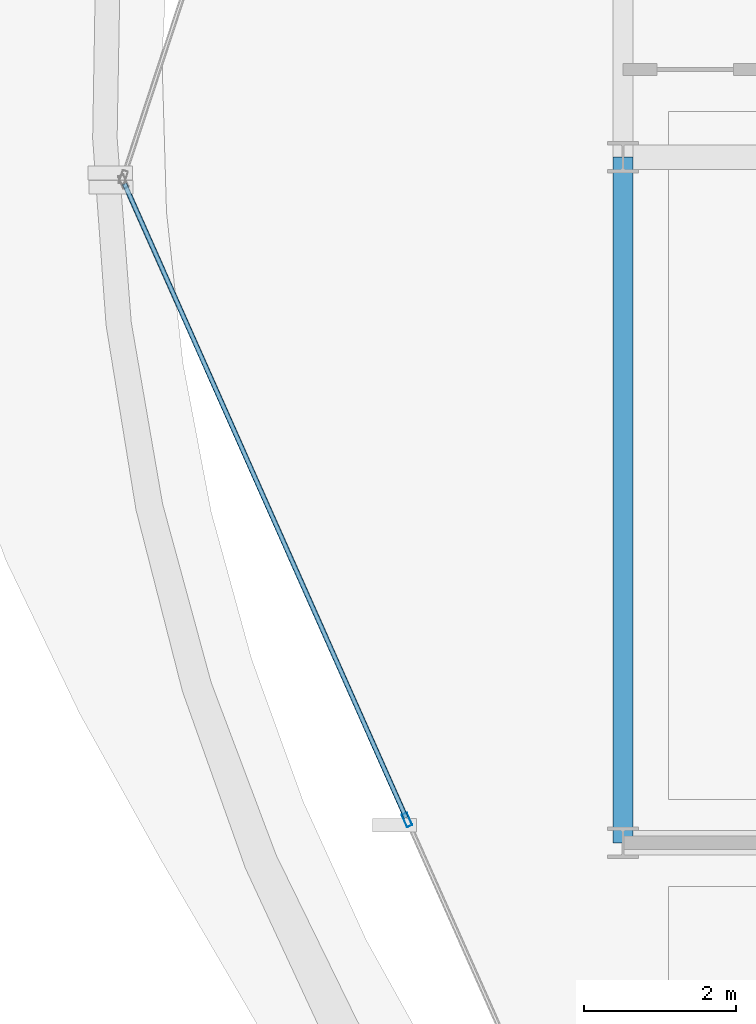
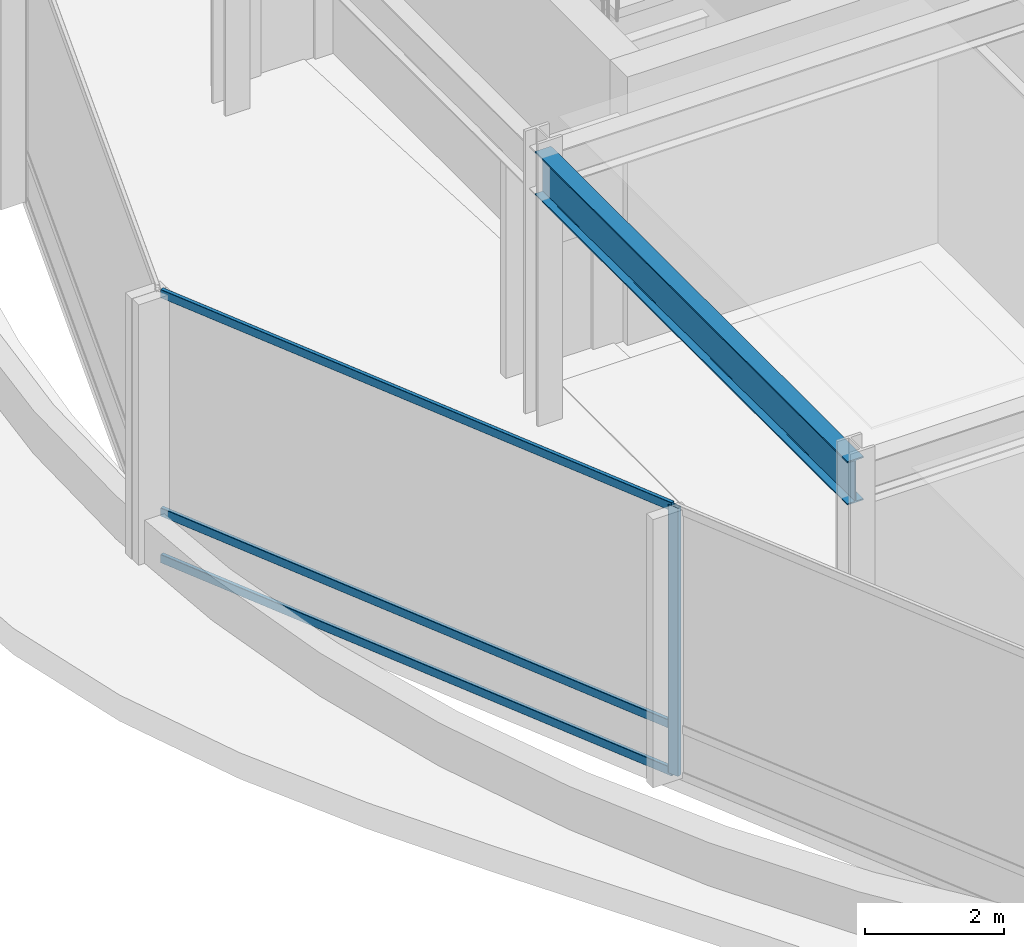
# One storey, part 5 of 29: 4 members, 1 beam, 1 element without a shape of its own.
"""IFC4 building model written with IfcOpenShell, lengths in metres."""

from ifc_helpers import new_model, si_unit, direction, frame, origin, origin_2d, place, context, subcontext, project, spatial, hollow_rectangle, i_section, extrude, material, layer, layer_set, material_profile, profile_set, type_object, element, aggregate, save


model = new_model("IFC4")

# Units and contexts
model_context = context("Model", 3, precision=1e-05, world=origin(), true_north=direction((0.0, 1.0)))
body_context = subcontext(model_context, "Body", "Model", "MODEL_VIEW")
ifc_project = project(units=[si_unit("LENGTHUNIT", "METRE"), si_unit("AREAUNIT", "SQUARE_METRE"), si_unit("VOLUMEUNIT", "CUBIC_METRE"), si_unit("PLANEANGLEUNIT", "RADIAN"), si_unit("MASSUNIT", "GRAM", prefix="KILO")], contexts=[model_context])

# Site, building, storey
site_placement = place(None, origin())
site = spatial("IfcSite", under=ifc_project, at=site_placement, CompositionType="ELEMENT")
building_placement = place(site_placement, origin())
building = spatial("IfcBuilding", under=site, at=building_placement, Name="Solvaryn Broadcast Tower", CompositionType="ELEMENT")
storey_placement = place(building_placement, frame((0.0, 0.0, 169.199951171875)))
storey = spatial("IfcBuildingStorey", under=building, at=storey_placement, Name="L42", CompositionType="ELEMENT", Elevation=169.199951171875)

# Beam
ifc_material_1 = material(Name="Steel ASTM A992 Grade 50", Category="steel")
ifc_material_profile_1 = material_profile(ifc_material_1, i_section(OverallWidth=0.26708984375, OverallDepth=0.76611328125, WebThickness=0.014892578125, FlangeThickness=0.023681640625, FilletRadius=0.01806640625, at=origin_2d()))
ifc_profile_set_1 = profile_set([ifc_material_profile_1], Name="Steel ASTM A992 Grade 50")
beam_type = type_object("IfcBeamType", Name="BM-SP2-W30X124", PredefinedType="USERDEFINED", material=ifc_profile_set_1)
beam_placement = place(storey_placement, frame((9.0, 18.0, 4.337158203125), z_axis=(0.0, 1.0, 0.0), x_axis=(-1.0, 0.0, 0.0)))
element("IfcBeam", 1, at=beam_placement, inside=storey, type_object=beam_type, Name="L42 Spandrel Beam Y (18-27 @ X=9)", ObjectType="SPANDREL", PredefinedType="USERDEFINED", context=body_context, shape_type="SweptSolid", body=[
    extrude(i_section(OverallWidth=0.26708984375, OverallDepth=0.76611328125, WebThickness=0.014892578125, FlangeThickness=0.023681640625, FilletRadius=0.01806640625, at=origin_2d()), origin(), (0.0, 0.0, 1.0), 9.0),
])

# Curtain wall, members
ifc_material_2 = material(Name="Aluminium and Terracotta Unitised Curtain Wall", Category="masonry")
ifc_layer = layer(ifc_material_2, 0.25)
ifc_layer_set = layer_set([ifc_layer], Name="CW-SYS4-SKYGARDEN")
curtain_wall_type = type_object("IfcCurtainWallType", Name="CW-SYS4-SKYGARDEN", PredefinedType="NOTDEFINED", material=ifc_layer_set)
curtain_wall_placement = place(storey_placement, origin())
curtain_wall = element("IfcCurtainWall", 2, at=curtain_wall_placement, inside=storey, type_object=curtain_wall_type, Name="L42 Curtain Wall DR2", PredefinedType="NOTDEFINED")
ifc_material_3 = material(Name="Anodised Aluminium 6063-T6", Category="aluminium")
ifc_material_profile_2 = material_profile(ifc_material_3, hollow_rectangle(XDim=0.074951171875, YDim=0.179931640625, WallThickness=0.00390625, InnerFilletRadius=0.00390625, OuterFilletRadius=0.008056640625, at=origin_2d()))
ifc_profile_set_2 = profile_set([ifc_material_profile_2], Name="Anodised Aluminium 6063-T6")
member_type_1 = type_object("IfcMemberType", Name="CW-MUL-180", PredefinedType="MULLION", material=ifc_profile_set_2)
member_1_placement = place(storey_placement, frame((6.16552734375, 18.302001953125, 0.0), z_axis=(0.0, 0.0, 1.0), x_axis=(0.913916902365, 0.405901337237, 0.0)))
member_1 = element("IfcMember", 3, at=member_1_placement, type_object=member_type_1, Name="CWS4 mullion 2", PredefinedType="MULLION", context=body_context, shape_type="SweptSolid", body=[
    extrude(hollow_rectangle(XDim=0.074951171875, YDim=0.179931640625, WallThickness=0.00390625, InnerFilletRadius=0.00390625, OuterFilletRadius=0.008056640625, at=origin_2d()), origin(), (0.0, 0.0, 1.0), 4.719970703125),
])
ifc_material_4 = material(Name="Anodised Aluminium 6063-T6", Category="aluminium")
ifc_material_profile_3 = material_profile(ifc_material_4, hollow_rectangle(XDim=0.06494140625, YDim=0.14990234375, WallThickness=0.00390625, InnerFilletRadius=0.00390625, OuterFilletRadius=0.008056640625, at=origin_2d()))
ifc_profile_set_3 = profile_set([ifc_material_profile_3], Name="Anodised Aluminium 6063-T6")
member_type_2 = type_object("IfcMemberType", Name="CW-TRN-150", PredefinedType="USERDEFINED", material=ifc_profile_set_3)
member_2_placement = place(storey_placement, frame((2.457275390625, 26.651123046875, 0.030029296875), z_axis=(0.405907095752, -0.913914344793, 0.0), x_axis=(0.913914344793, 0.405907095752, 0.0)))
member_2 = element("IfcMember", 4, at=member_2_placement, type_object=member_type_2, Name="CWS4 transom 1.1", ObjectType="TRANSOM", PredefinedType="USERDEFINED", context=body_context, shape_type="SweptSolid", body=[
    extrude(hollow_rectangle(XDim=0.06494140625, YDim=0.14990234375, WallThickness=0.00390625, InnerFilletRadius=0.00390625, OuterFilletRadius=0.008056640625, at=origin_2d()), origin(), (0.0, 0.0, 1.0), 9.105712890625),
])
member_3_placement = place(storey_placement, frame((2.457275390625, 26.651123046875, 0.85009765625), z_axis=(0.405907095752, -0.913914344793, 0.0), x_axis=(0.913914344793, 0.405907095752, 0.0)))
member_3 = element("IfcMember", 5, at=member_3_placement, type_object=member_type_2, Name="CWS4 transom 1.2", ObjectType="TRANSOM", PredefinedType="USERDEFINED", context=body_context, shape_type="SweptSolid", body=[
    extrude(hollow_rectangle(XDim=0.06494140625, YDim=0.14990234375, WallThickness=0.00390625, InnerFilletRadius=0.00390625, OuterFilletRadius=0.008056640625, at=origin_2d()), origin(), (0.0, 0.0, 1.0), 9.105712890625),
])
member_4_placement = place(storey_placement, frame((2.457275390625, 26.651123046875, 4.68994140625), z_axis=(0.405907095752, -0.913914344793, 0.0), x_axis=(0.913914344793, 0.405907095752, 0.0)))
member_4 = element("IfcMember", 6, at=member_4_placement, type_object=member_type_2, Name="CWS4 transom 1.3", ObjectType="TRANSOM", PredefinedType="USERDEFINED", context=body_context, shape_type="SweptSolid", body=[
    extrude(hollow_rectangle(XDim=0.06494140625, YDim=0.14990234375, WallThickness=0.00390625, InnerFilletRadius=0.00390625, OuterFilletRadius=0.008056640625, at=origin_2d()), origin(), (0.0, 0.0, 1.0), 9.105712890625),
])
aggregate(curtain_wall, [member_1, member_2, member_3, member_4])

save(model, "model.ifc")
